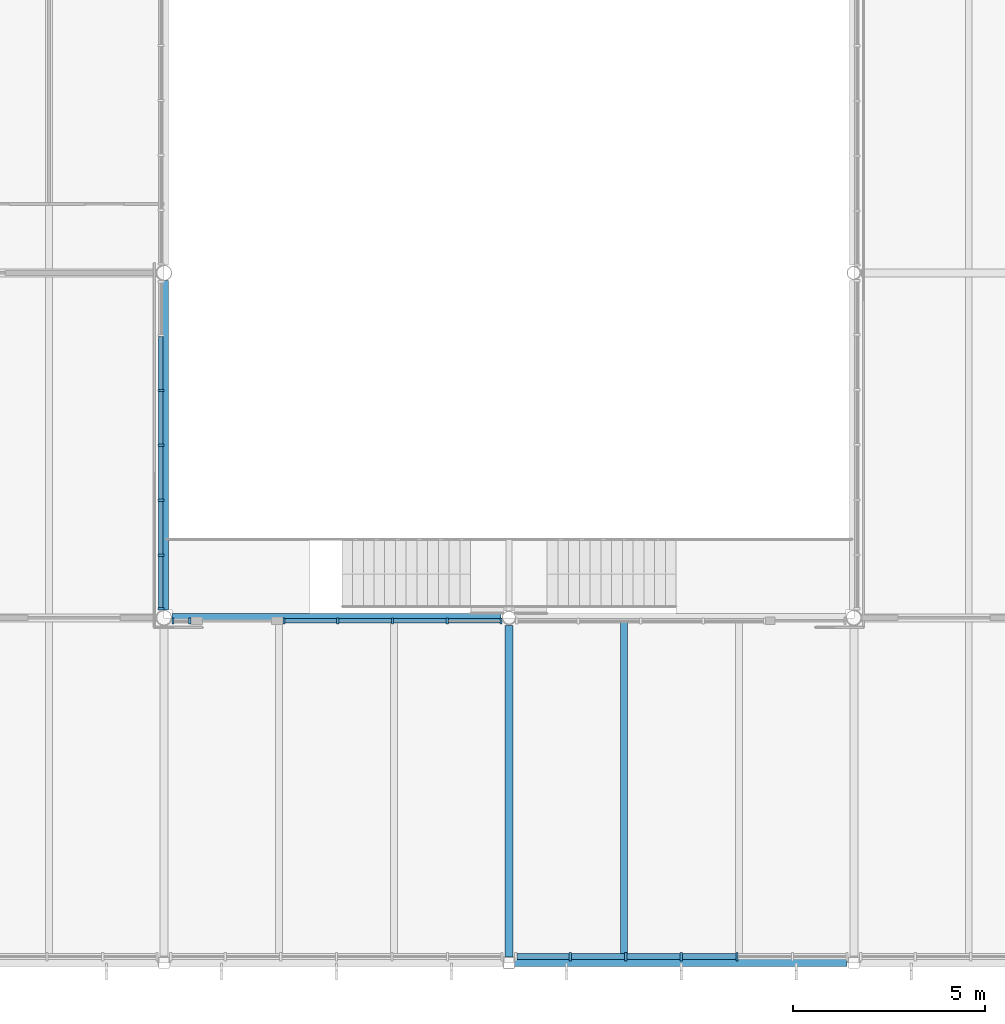
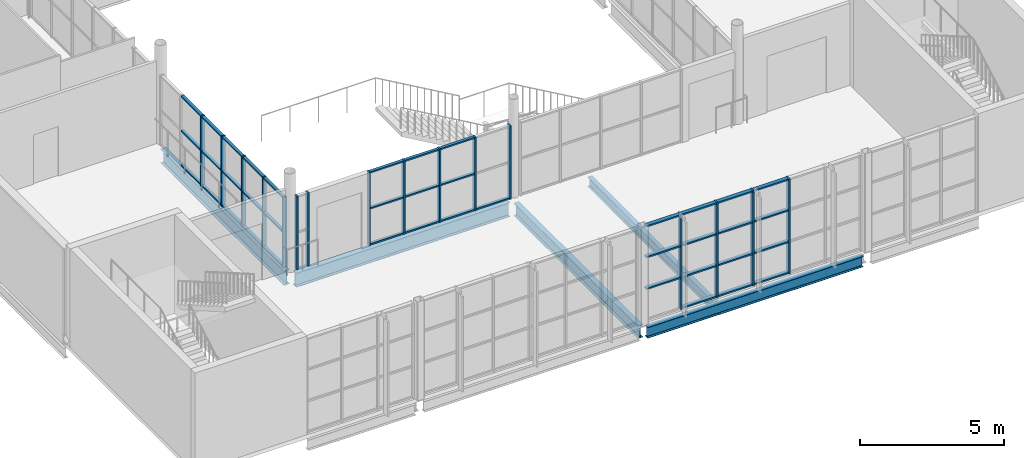
# One storey, part 14 of 57: 56 members, 5 beams, 4 elements without a shape of their own.
"""IFC4 building model written with IfcOpenShell, lengths in metres."""

from ifc_helpers import new_model, si_unit, direction, frame, origin, origin_2d, place, context, subcontext, project, spatial, rectangle, i_section, extrude, material, layer, layer_set, material_profile, profile_set, type_object, element, aggregate, save


model = new_model("IFC4")

# Units and contexts
model_context = context("Model", 3, precision=1e-05, world=origin(), true_north=direction((0.0, 1.0)))
body_context = subcontext(model_context, "Body", "Model", "MODEL_VIEW")
ifc_project = project(units=[si_unit("LENGTHUNIT", "METRE"), si_unit("AREAUNIT", "SQUARE_METRE"), si_unit("VOLUMEUNIT", "CUBIC_METRE"), si_unit("PLANEANGLEUNIT", "RADIAN"), si_unit("MASSUNIT", "GRAM", prefix="KILO")], contexts=[model_context])

# Site, building, storey
site_placement = place(None, origin())
site = spatial("IfcSite", under=ifc_project, at=site_placement, CompositionType="ELEMENT")
building_placement = place(site_placement, origin())
building = spatial("IfcBuilding", under=site, at=building_placement, Name="Halyard Row Museum", CompositionType="ELEMENT")
storey_placement = place(building_placement, frame((0.0, 0.0, 5.0)))
storey = spatial("IfcBuildingStorey", under=building, at=storey_placement, Name="L01", CompositionType="ELEMENT", Elevation=5.0)

# Curtain wall, members
ifc_material_1 = material(Name="Double glazed unit, low-emissivity", Category="glass")
ifc_layer_1 = layer(ifc_material_1, 0.219970703125)
ifc_layer_set_1 = layer_set([ifc_layer_1], Name="Double glazed unit, low-emissivity")
curtain_wall_type_1 = type_object("IfcCurtainWallType", Name="Curtain wall unitised 220 deep", PredefinedType="NOTDEFINED", material=ifc_layer_set_1)
curtain_wall_1_placement = place(storey_placement, origin())
curtain_wall_1 = element("IfcCurtainWall", 1, at=curtain_wall_1_placement, inside=storey, type_object=curtain_wall_type_1, Name="Curtain wall CW026", PredefinedType="NOTDEFINED")
ifc_material_2 = material(Name="Powder-coated aluminium section", Category="aluminium")
ifc_material_profile_1 = material_profile(ifc_material_2, rectangle(XDim=0.219970703125, YDim=0.06005859375, at=origin_2d()), Name="220x60 mullion")
ifc_profile_set_1 = profile_set([ifc_material_profile_1], Name="Powder-coated aluminium section")
member_type_1 = type_object("IfcMemberType", Name="Curtain wall mullion CM3 60 x 220", PredefinedType="MULLION", material=ifc_profile_set_1)
member_1_placement = place(storey_placement, frame((91.60009765625, 0.159912109375, 0.0), z_axis=(0.0, 0.0, 1.0), x_axis=(0.0, 1.0, 0.0)))
member_1 = element("IfcMember", 2, at=member_1_placement, type_object=member_type_1, Name="CW026 mullion 2", PredefinedType="MULLION", context=body_context, shape_type="SweptSolid", body=[
    extrude(rectangle(XDim=0.219970703125, YDim=0.06005859375, at=origin_2d()), origin(), (0.0, 0.0, 1.0), 4.034912109375),
])
member_2_placement = place(storey_placement, frame((93.050048828125, 0.159912109375, 0.0), z_axis=(0.0, 0.0, 1.0), x_axis=(0.0, 1.0, 0.0)))
member_2 = element("IfcMember", 3, at=member_2_placement, type_object=member_type_1, Name="CW026 mullion 3", PredefinedType="MULLION", context=body_context, shape_type="SweptSolid", body=[
    extrude(rectangle(XDim=0.219970703125, YDim=0.06005859375, at=origin_2d()), origin(), (0.0, 0.0, 1.0), 4.034912109375),
])
member_3_placement = place(storey_placement, frame((94.5, 0.159912109375, 0.0), z_axis=(0.0, 0.0, 1.0), x_axis=(0.0, 1.0, 0.0)))
member_3 = element("IfcMember", 4, at=member_3_placement, type_object=member_type_1, Name="CW026 mullion 4", PredefinedType="MULLION", context=body_context, shape_type="SweptSolid", body=[
    extrude(rectangle(XDim=0.219970703125, YDim=0.06005859375, at=origin_2d()), origin(), (0.0, 0.0, 1.0), 4.034912109375),
])
member_4_placement = place(storey_placement, frame((95.949951171875, 0.159912109375, 0.0), z_axis=(0.0, 0.0, 1.0), x_axis=(0.0, 1.0, 0.0)))
member_4 = element("IfcMember", 5, at=member_4_placement, type_object=member_type_1, Name="CW026 mullion 5", PredefinedType="MULLION", context=body_context, shape_type="SweptSolid", body=[
    extrude(rectangle(XDim=0.219970703125, YDim=0.06005859375, at=origin_2d()), origin(), (0.0, 0.0, 1.0), 4.034912109375),
])

ifc_material_3 = material(Name="Fire-resisting laminated glazing", Category="glass")
ifc_layer_2 = layer(ifc_material_3, 0.159912109375)
ifc_layer_set_2 = layer_set([ifc_layer_2], Name="Fire-resisting laminated glazing")
curtain_wall_type_2 = type_object("IfcCurtainWallType", Name="Curtain wall atrium screen 160 deep", PredefinedType="NOTDEFINED", material=ifc_layer_set_2)
curtain_wall_2_placement = place(storey_placement, origin())
curtain_wall_2 = element("IfcCurtainWall", 6, at=curtain_wall_2_placement, inside=storey, type_object=curtain_wall_type_2, Name="Curtain wall CW075", PredefinedType="NOTDEFINED")
ifc_material_4 = material(Name="Powder-coated aluminium section", Category="aluminium")
ifc_material_profile_2 = material_profile(ifc_material_4, rectangle(XDim=0.159912109375, YDim=0.06005859375, at=origin_2d()), Name="160x60 mullion")
ifc_profile_set_2 = profile_set([ifc_material_profile_2], Name="Powder-coated aluminium section")
member_type_2 = type_object("IfcMemberType", Name="Curtain wall mullion CM5 60 x 160", PredefinedType="MULLION", material=ifc_profile_set_2)
member_5_placement = place(storey_placement, frame((81.233154296875, 8.919921875, 0.0), z_axis=(0.0, 0.0, 1.0), x_axis=(0.0, 1.0, 0.0)))
member_5 = element("IfcMember", 7, at=member_5_placement, type_object=member_type_2, Name="CW075 mullion 1", PredefinedType="MULLION", context=body_context, shape_type="SweptSolid", body=[
    extrude(rectangle(XDim=0.159912109375, YDim=0.06005859375, at=origin_2d()), origin(), (0.0, 0.0, 1.0), 3.12451171875),
])
member_6_placement = place(storey_placement, frame((81.669921875, 8.919921875, 0.0), z_axis=(0.0, 0.0, 1.0), x_axis=(0.0, 1.0, 0.0)))
member_6 = element("IfcMember", 8, at=member_6_placement, type_object=member_type_2, Name="CW075 mullion 2", PredefinedType="MULLION", context=body_context, shape_type="SweptSolid", body=[
    extrude(rectangle(XDim=0.159912109375, YDim=0.06005859375, at=origin_2d()), origin(), (0.0, 0.0, 1.0), 3.12451171875),
])
aggregate(curtain_wall_2, [member_5, member_6])

curtain_wall_3_placement = place(storey_placement, origin())
curtain_wall_3 = element("IfcCurtainWall", 9, at=curtain_wall_3_placement, inside=storey, type_object=curtain_wall_type_2, Name="Curtain wall CW076", PredefinedType="NOTDEFINED")
member_7_placement = place(storey_placement, frame((84.1298828125, 8.919921875, 0.0), z_axis=(0.0, 0.0, 1.0), x_axis=(0.0, 1.0, 0.0)))
member_7 = element("IfcMember", 10, at=member_7_placement, type_object=member_type_2, Name="CW076 mullion 1", PredefinedType="MULLION", context=body_context, shape_type="SweptSolid", body=[
    extrude(rectangle(XDim=0.159912109375, YDim=0.06005859375, at=origin_2d()), origin(), (0.0, 0.0, 1.0), 3.12451171875),
])
member_8_placement = place(storey_placement, frame((85.530517578125, 8.919921875, 0.0), z_axis=(0.0, 0.0, 1.0), x_axis=(0.0, 1.0, 0.0)))
member_8 = element("IfcMember", 11, at=member_8_placement, type_object=member_type_2, Name="CW076 mullion 2", PredefinedType="MULLION", context=body_context, shape_type="SweptSolid", body=[
    extrude(rectangle(XDim=0.159912109375, YDim=0.06005859375, at=origin_2d()), origin(), (0.0, 0.0, 1.0), 3.12451171875),
])
member_9_placement = place(storey_placement, frame((86.961181640625, 8.919921875, 0.0), z_axis=(0.0, 0.0, 1.0), x_axis=(0.0, 1.0, 0.0)))
member_9 = element("IfcMember", 12, at=member_9_placement, type_object=member_type_2, Name="CW076 mullion 3", PredefinedType="MULLION", context=body_context, shape_type="SweptSolid", body=[
    extrude(rectangle(XDim=0.159912109375, YDim=0.06005859375, at=origin_2d()), origin(), (0.0, 0.0, 1.0), 3.12451171875),
])
member_10_placement = place(storey_placement, frame((88.3916015625, 8.919921875, 0.0), z_axis=(0.0, 0.0, 1.0), x_axis=(0.0, 1.0, 0.0)))
member_10 = element("IfcMember", 13, at=member_10_placement, type_object=member_type_2, Name="CW076 mullion 4", PredefinedType="MULLION", context=body_context, shape_type="SweptSolid", body=[
    extrude(rectangle(XDim=0.159912109375, YDim=0.06005859375, at=origin_2d()), origin(), (0.0, 0.0, 1.0), 3.12451171875),
])
member_11_placement = place(storey_placement, frame((89.792236328125, 8.919921875, 0.0), z_axis=(0.0, 0.0, 1.0), x_axis=(0.0, 1.0, 0.0)))
member_11 = element("IfcMember", 14, at=member_11_placement, type_object=member_type_2, Name="CW076 mullion 5", PredefinedType="MULLION", context=body_context, shape_type="SweptSolid", body=[
    extrude(rectangle(XDim=0.159912109375, YDim=0.06005859375, at=origin_2d()), origin(), (0.0, 0.0, 1.0), 3.12451171875),
])

curtain_wall_4_placement = place(storey_placement, origin())
curtain_wall_4 = element("IfcCurtainWall", 15, at=curtain_wall_4_placement, inside=storey, type_object=curtain_wall_type_2, Name="Curtain wall CW083", PredefinedType="NOTDEFINED")
member_12_placement = place(storey_placement, frame((80.919921875, 14.932373046875, 0.0), z_axis=(0.0, 0.0, 1.0), x_axis=(1.0, 0.0, 0.0)))
member_12 = element("IfcMember", 16, at=member_12_placement, type_object=member_type_2, Name="CW083 mullion 3", PredefinedType="MULLION", context=body_context, shape_type="SweptSolid", body=[
    extrude(rectangle(XDim=0.159912109375, YDim=0.06005859375, at=origin_2d()), origin(), (0.0, 0.0, 1.0), 2.985107421875),
])
member_13_placement = place(storey_placement, frame((80.919921875, 13.5, 0.0), z_axis=(0.0, 0.0, 1.0), x_axis=(1.0, 0.0, 0.0)))
member_13 = element("IfcMember", 17, at=member_13_placement, type_object=member_type_2, Name="CW083 mullion 4", PredefinedType="MULLION", context=body_context, shape_type="SweptSolid", body=[
    extrude(rectangle(XDim=0.159912109375, YDim=0.06005859375, at=origin_2d()), origin(), (0.0, 0.0, 1.0), 2.985107421875),
])
member_14_placement = place(storey_placement, frame((80.919921875, 12.067626953125, 0.0), z_axis=(0.0, 0.0, 1.0), x_axis=(1.0, 0.0, 0.0)))
member_14 = element("IfcMember", 18, at=member_14_placement, type_object=member_type_2, Name="CW083 mullion 5", PredefinedType="MULLION", context=body_context, shape_type="SweptSolid", body=[
    extrude(rectangle(XDim=0.159912109375, YDim=0.06005859375, at=origin_2d()), origin(), (0.0, 0.0, 1.0), 2.985107421875),
])
member_15_placement = place(storey_placement, frame((80.919921875, 10.635498046875, 0.0), z_axis=(0.0, 0.0, 1.0), x_axis=(1.0, 0.0, 0.0)))
member_15 = element("IfcMember", 19, at=member_15_placement, type_object=member_type_2, Name="CW083 mullion 6", PredefinedType="MULLION", context=body_context, shape_type="SweptSolid", body=[
    extrude(rectangle(XDim=0.159912109375, YDim=0.06005859375, at=origin_2d()), origin(), (0.0, 0.0, 1.0), 2.985107421875),
])
member_16_placement = place(storey_placement, frame((80.919921875, 9.233154296875, 0.0), z_axis=(0.0, 0.0, 1.0), x_axis=(1.0, 0.0, 0.0)))
member_16 = element("IfcMember", 20, at=member_16_placement, type_object=member_type_2, Name="CW083 mullion 7", PredefinedType="MULLION", context=body_context, shape_type="SweptSolid", body=[
    extrude(rectangle(XDim=0.159912109375, YDim=0.06005859375, at=origin_2d()), origin(), (0.0, 0.0, 1.0), 2.985107421875),
])

# Member
ifc_material_5 = material(Name="Powder-coated aluminium section", Category="aluminium")
ifc_material_profile_3 = material_profile(ifc_material_5, rectangle(XDim=0.159912109375, YDim=0.06005859375, at=origin_2d()), Name="160x60 transom")
ifc_profile_set_3 = profile_set([ifc_material_profile_3], Name="Powder-coated aluminium section")
member_type_3 = type_object("IfcMemberType", Name="Curtain wall transom CT3 60 x 160", PredefinedType="USERDEFINED", material=ifc_profile_set_3)
member_17_placement = place(storey_placement, frame((90.2099609375, 0.159912109375, 1.344970703125), z_axis=(1.0, 0.0, 0.0), x_axis=(0.0, 1.0, 0.0)))
member_17 = element("IfcMember", 21, at=member_17_placement, type_object=member_type_3, Name="CW026 transom 1.2", ObjectType="TRANSOM", PredefinedType="USERDEFINED", context=body_context, shape_type="SweptSolid", body=[
    extrude(rectangle(XDim=0.159912109375, YDim=0.06005859375, at=origin_2d()), origin(), (0.0, 0.0, 1.0), 1.360107421875),
])

member_18_placement = place(storey_placement, frame((90.2099609375, 0.159912109375, 2.68994140625), z_axis=(1.0, 0.0, 0.0), x_axis=(0.0, 1.0, 0.0)))
member_18 = element("IfcMember", 22, at=member_18_placement, type_object=member_type_3, Name="CW026 transom 1.3", ObjectType="TRANSOM", PredefinedType="USERDEFINED", context=body_context, shape_type="SweptSolid", body=[
    extrude(rectangle(XDim=0.159912109375, YDim=0.06005859375, at=origin_2d()), origin(), (0.0, 0.0, 1.0), 1.360107421875),
])

member_19_placement = place(storey_placement, frame((90.2099609375, 0.159912109375, 4.0048828125), z_axis=(1.0, 0.0, 0.0), x_axis=(0.0, 1.0, 0.0)))
member_19 = element("IfcMember", 23, at=member_19_placement, type_object=member_type_3, Name="CW026 transom 1.4", ObjectType="TRANSOM", PredefinedType="USERDEFINED", context=body_context, shape_type="SweptSolid", body=[
    extrude(rectangle(XDim=0.159912109375, YDim=0.06005859375, at=origin_2d()), origin(), (0.0, 0.0, 1.0), 1.360107421875),
])

member_20_placement = place(storey_placement, frame((91.6298828125, 0.159912109375, 0.030029296875), z_axis=(1.0, 0.0, 0.0), x_axis=(0.0, 1.0, 0.0)))
member_20 = element("IfcMember", 24, at=member_20_placement, type_object=member_type_3, Name="CW026 transom 2.1", ObjectType="TRANSOM", PredefinedType="USERDEFINED", context=body_context, shape_type="SweptSolid", body=[
    extrude(rectangle(XDim=0.159912109375, YDim=0.06005859375, at=origin_2d()), origin(), (0.0, 0.0, 1.0), 1.39013671875),
])

member_21_placement = place(storey_placement, frame((91.6298828125, 0.159912109375, 1.344970703125), z_axis=(1.0, 0.0, 0.0), x_axis=(0.0, 1.0, 0.0)))
member_21 = element("IfcMember", 25, at=member_21_placement, type_object=member_type_3, Name="CW026 transom 2.2", ObjectType="TRANSOM", PredefinedType="USERDEFINED", context=body_context, shape_type="SweptSolid", body=[
    extrude(rectangle(XDim=0.159912109375, YDim=0.06005859375, at=origin_2d()), origin(), (0.0, 0.0, 1.0), 1.39013671875),
])

member_22_placement = place(storey_placement, frame((91.6298828125, 0.159912109375, 2.68994140625), z_axis=(1.0, 0.0, 0.0), x_axis=(0.0, 1.0, 0.0)))
member_22 = element("IfcMember", 26, at=member_22_placement, type_object=member_type_3, Name="CW026 transom 2.3", ObjectType="TRANSOM", PredefinedType="USERDEFINED", context=body_context, shape_type="SweptSolid", body=[
    extrude(rectangle(XDim=0.159912109375, YDim=0.06005859375, at=origin_2d()), origin(), (0.0, 0.0, 1.0), 1.39013671875),
])

member_23_placement = place(storey_placement, frame((91.6298828125, 0.159912109375, 4.0048828125), z_axis=(1.0, 0.0, 0.0), x_axis=(0.0, 1.0, 0.0)))
member_23 = element("IfcMember", 27, at=member_23_placement, type_object=member_type_3, Name="CW026 transom 2.4", ObjectType="TRANSOM", PredefinedType="USERDEFINED", context=body_context, shape_type="SweptSolid", body=[
    extrude(rectangle(XDim=0.159912109375, YDim=0.06005859375, at=origin_2d()), origin(), (0.0, 0.0, 1.0), 1.39013671875),
])

member_24_placement = place(storey_placement, frame((93.080078125, 0.159912109375, 0.030029296875), z_axis=(1.0, 0.0, 0.0), x_axis=(0.0, 1.0, 0.0)))
member_24 = element("IfcMember", 28, at=member_24_placement, type_object=member_type_3, Name="CW026 transom 3.1", ObjectType="TRANSOM", PredefinedType="USERDEFINED", context=body_context, shape_type="SweptSolid", body=[
    extrude(rectangle(XDim=0.159912109375, YDim=0.06005859375, at=origin_2d()), origin(), (0.0, 0.0, 1.0), 1.389892578125),
])

member_25_placement = place(storey_placement, frame((93.080078125, 0.159912109375, 1.344970703125), z_axis=(1.0, 0.0, 0.0), x_axis=(0.0, 1.0, 0.0)))
member_25 = element("IfcMember", 29, at=member_25_placement, type_object=member_type_3, Name="CW026 transom 3.2", ObjectType="TRANSOM", PredefinedType="USERDEFINED", context=body_context, shape_type="SweptSolid", body=[
    extrude(rectangle(XDim=0.159912109375, YDim=0.06005859375, at=origin_2d()), origin(), (0.0, 0.0, 1.0), 1.389892578125),
])

member_26_placement = place(storey_placement, frame((93.080078125, 0.159912109375, 2.68994140625), z_axis=(1.0, 0.0, 0.0), x_axis=(0.0, 1.0, 0.0)))
member_26 = element("IfcMember", 30, at=member_26_placement, type_object=member_type_3, Name="CW026 transom 3.3", ObjectType="TRANSOM", PredefinedType="USERDEFINED", context=body_context, shape_type="SweptSolid", body=[
    extrude(rectangle(XDim=0.159912109375, YDim=0.06005859375, at=origin_2d()), origin(), (0.0, 0.0, 1.0), 1.389892578125),
])

member_27_placement = place(storey_placement, frame((93.080078125, 0.159912109375, 4.0048828125), z_axis=(1.0, 0.0, 0.0), x_axis=(0.0, 1.0, 0.0)))
member_27 = element("IfcMember", 31, at=member_27_placement, type_object=member_type_3, Name="CW026 transom 3.4", ObjectType="TRANSOM", PredefinedType="USERDEFINED", context=body_context, shape_type="SweptSolid", body=[
    extrude(rectangle(XDim=0.159912109375, YDim=0.06005859375, at=origin_2d()), origin(), (0.0, 0.0, 1.0), 1.389892578125),
])

member_28_placement = place(storey_placement, frame((94.530029296875, 0.159912109375, 0.030029296875), z_axis=(1.0, 0.0, 0.0), x_axis=(0.0, 1.0, 0.0)))
member_28 = element("IfcMember", 32, at=member_28_placement, type_object=member_type_3, Name="CW026 transom 4.1", ObjectType="TRANSOM", PredefinedType="USERDEFINED", context=body_context, shape_type="SweptSolid", body=[
    extrude(rectangle(XDim=0.159912109375, YDim=0.06005859375, at=origin_2d()), origin(), (0.0, 0.0, 1.0), 1.389892578125),
])

member_29_placement = place(storey_placement, frame((94.530029296875, 0.159912109375, 1.344970703125), z_axis=(1.0, 0.0, 0.0), x_axis=(0.0, 1.0, 0.0)))
member_29 = element("IfcMember", 33, at=member_29_placement, type_object=member_type_3, Name="CW026 transom 4.2", ObjectType="TRANSOM", PredefinedType="USERDEFINED", context=body_context, shape_type="SweptSolid", body=[
    extrude(rectangle(XDim=0.159912109375, YDim=0.06005859375, at=origin_2d()), origin(), (0.0, 0.0, 1.0), 1.389892578125),
])

member_30_placement = place(storey_placement, frame((94.530029296875, 0.159912109375, 2.68994140625), z_axis=(1.0, 0.0, 0.0), x_axis=(0.0, 1.0, 0.0)))
member_30 = element("IfcMember", 34, at=member_30_placement, type_object=member_type_3, Name="CW026 transom 4.3", ObjectType="TRANSOM", PredefinedType="USERDEFINED", context=body_context, shape_type="SweptSolid", body=[
    extrude(rectangle(XDim=0.159912109375, YDim=0.06005859375, at=origin_2d()), origin(), (0.0, 0.0, 1.0), 1.389892578125),
])

member_31_placement = place(storey_placement, frame((94.530029296875, 0.159912109375, 4.0048828125), z_axis=(1.0, 0.0, 0.0), x_axis=(0.0, 1.0, 0.0)))
member_31 = element("IfcMember", 35, at=member_31_placement, type_object=member_type_3, Name="CW026 transom 4.4", ObjectType="TRANSOM", PredefinedType="USERDEFINED", context=body_context, shape_type="SweptSolid", body=[
    extrude(rectangle(XDim=0.159912109375, YDim=0.06005859375, at=origin_2d()), origin(), (0.0, 0.0, 1.0), 1.389892578125),
])

aggregate(curtain_wall_1, [member_1, member_2, member_3, member_4, member_17, member_18, member_19, member_20, member_21, member_22, member_23, member_24, member_25, member_26, member_27, member_28, member_29, member_30, member_31])

ifc_material_6 = material(Name="Powder-coated aluminium section", Category="aluminium")
ifc_material_profile_4 = material_profile(ifc_material_6, rectangle(XDim=0.1201171875, YDim=0.06005859375, at=origin_2d()), Name="120x60 transom")
ifc_profile_set_4 = profile_set([ifc_material_profile_4], Name="Powder-coated aluminium section")
member_type_4 = type_object("IfcMemberType", Name="Curtain wall transom CT5 60 x 120", PredefinedType="USERDEFINED", material=ifc_profile_set_4)
member_32_placement = place(storey_placement, frame((84.159912109375, 8.919921875, 0.030029296875), z_axis=(1.0, 0.0, 0.0), x_axis=(0.0, 1.0, 0.0)))
member_32 = element("IfcMember", 36, at=member_32_placement, type_object=member_type_4, Name="CW076 transom 1.1", ObjectType="TRANSOM", PredefinedType="USERDEFINED", context=body_context, shape_type="SweptSolid", body=[
    extrude(rectangle(XDim=0.1201171875, YDim=0.06005859375, at=origin_2d()), origin(), (0.0, 0.0, 1.0), 1.340576171875),
])

member_33_placement = place(storey_placement, frame((84.159912109375, 8.919921875, 1.562255859375), z_axis=(1.0, 0.0, 0.0), x_axis=(0.0, 1.0, 0.0)))
member_33 = element("IfcMember", 37, at=member_33_placement, type_object=member_type_4, Name="CW076 transom 1.2", ObjectType="TRANSOM", PredefinedType="USERDEFINED", context=body_context, shape_type="SweptSolid", body=[
    extrude(rectangle(XDim=0.1201171875, YDim=0.06005859375, at=origin_2d()), origin(), (0.0, 0.0, 1.0), 1.340576171875),
])

member_34_placement = place(storey_placement, frame((84.159912109375, 8.919921875, 3.094482421875), z_axis=(1.0, 0.0, 0.0), x_axis=(0.0, 1.0, 0.0)))
member_34 = element("IfcMember", 38, at=member_34_placement, type_object=member_type_4, Name="CW076 transom 1.3", ObjectType="TRANSOM", PredefinedType="USERDEFINED", context=body_context, shape_type="SweptSolid", body=[
    extrude(rectangle(XDim=0.1201171875, YDim=0.06005859375, at=origin_2d()), origin(), (0.0, 0.0, 1.0), 1.340576171875),
])

member_35_placement = place(storey_placement, frame((85.560546875, 8.919921875, 0.030029296875), z_axis=(1.0, 0.0, 0.0), x_axis=(0.0, 1.0, 0.0)))
member_35 = element("IfcMember", 39, at=member_35_placement, type_object=member_type_4, Name="CW076 transom 2.1", ObjectType="TRANSOM", PredefinedType="USERDEFINED", context=body_context, shape_type="SweptSolid", body=[
    extrude(rectangle(XDim=0.1201171875, YDim=0.06005859375, at=origin_2d()), origin(), (0.0, 0.0, 1.0), 1.37060546875),
])

member_36_placement = place(storey_placement, frame((85.560546875, 8.919921875, 1.562255859375), z_axis=(1.0, 0.0, 0.0), x_axis=(0.0, 1.0, 0.0)))
member_36 = element("IfcMember", 40, at=member_36_placement, type_object=member_type_4, Name="CW076 transom 2.2", ObjectType="TRANSOM", PredefinedType="USERDEFINED", context=body_context, shape_type="SweptSolid", body=[
    extrude(rectangle(XDim=0.1201171875, YDim=0.06005859375, at=origin_2d()), origin(), (0.0, 0.0, 1.0), 1.37060546875),
])

member_37_placement = place(storey_placement, frame((85.560546875, 8.919921875, 3.094482421875), z_axis=(1.0, 0.0, 0.0), x_axis=(0.0, 1.0, 0.0)))
member_37 = element("IfcMember", 41, at=member_37_placement, type_object=member_type_4, Name="CW076 transom 2.3", ObjectType="TRANSOM", PredefinedType="USERDEFINED", context=body_context, shape_type="SweptSolid", body=[
    extrude(rectangle(XDim=0.1201171875, YDim=0.06005859375, at=origin_2d()), origin(), (0.0, 0.0, 1.0), 1.37060546875),
])

member_38_placement = place(storey_placement, frame((86.9912109375, 8.919921875, 0.030029296875), z_axis=(1.0, 0.0, 0.0), x_axis=(0.0, 1.0, 0.0)))
member_38 = element("IfcMember", 42, at=member_38_placement, type_object=member_type_4, Name="CW076 transom 3.1", ObjectType="TRANSOM", PredefinedType="USERDEFINED", context=body_context, shape_type="SweptSolid", body=[
    extrude(rectangle(XDim=0.1201171875, YDim=0.06005859375, at=origin_2d()), origin(), (0.0, 0.0, 1.0), 1.370361328125),
])

member_39_placement = place(storey_placement, frame((86.9912109375, 8.919921875, 1.562255859375), z_axis=(1.0, 0.0, 0.0), x_axis=(0.0, 1.0, 0.0)))
member_39 = element("IfcMember", 43, at=member_39_placement, type_object=member_type_4, Name="CW076 transom 3.2", ObjectType="TRANSOM", PredefinedType="USERDEFINED", context=body_context, shape_type="SweptSolid", body=[
    extrude(rectangle(XDim=0.1201171875, YDim=0.06005859375, at=origin_2d()), origin(), (0.0, 0.0, 1.0), 1.370361328125),
])

member_40_placement = place(storey_placement, frame((86.9912109375, 8.919921875, 3.094482421875), z_axis=(1.0, 0.0, 0.0), x_axis=(0.0, 1.0, 0.0)))
member_40 = element("IfcMember", 44, at=member_40_placement, type_object=member_type_4, Name="CW076 transom 3.3", ObjectType="TRANSOM", PredefinedType="USERDEFINED", context=body_context, shape_type="SweptSolid", body=[
    extrude(rectangle(XDim=0.1201171875, YDim=0.06005859375, at=origin_2d()), origin(), (0.0, 0.0, 1.0), 1.370361328125),
])

member_41_placement = place(storey_placement, frame((88.421630859375, 8.919921875, 0.030029296875), z_axis=(1.0, 0.0, 0.0), x_axis=(0.0, 1.0, 0.0)))
member_41 = element("IfcMember", 45, at=member_41_placement, type_object=member_type_4, Name="CW076 transom 4.1", ObjectType="TRANSOM", PredefinedType="USERDEFINED", context=body_context, shape_type="SweptSolid", body=[
    extrude(rectangle(XDim=0.1201171875, YDim=0.06005859375, at=origin_2d()), origin(), (0.0, 0.0, 1.0), 1.340576171875),
])

aggregate(curtain_wall_3, [member_7, member_8, member_9, member_10, member_11, member_32, member_33, member_34, member_35, member_36, member_37, member_38, member_39, member_40, member_41])

member_42_placement = place(storey_placement, frame((80.919921875, 16.33447265625, 0.030029296875), z_axis=(0.0, -1.0, 0.0), x_axis=(1.0, 0.0, 0.0)))
member_42 = element("IfcMember", 46, at=member_42_placement, type_object=member_type_4, Name="CW083 transom 2.1", ObjectType="TRANSOM", PredefinedType="USERDEFINED", context=body_context, shape_type="SweptSolid", body=[
    extrude(rectangle(XDim=0.1201171875, YDim=0.06005859375, at=origin_2d()), origin(), (0.0, 0.0, 1.0), 1.372314453125),
])

member_43_placement = place(storey_placement, frame((80.919921875, 16.33447265625, 1.492431640625), z_axis=(0.0, -1.0, 0.0), x_axis=(1.0, 0.0, 0.0)))
member_43 = element("IfcMember", 47, at=member_43_placement, type_object=member_type_4, Name="CW083 transom 2.2", ObjectType="TRANSOM", PredefinedType="USERDEFINED", context=body_context, shape_type="SweptSolid", body=[
    extrude(rectangle(XDim=0.1201171875, YDim=0.06005859375, at=origin_2d()), origin(), (0.0, 0.0, 1.0), 1.372314453125),
])

member_44_placement = place(storey_placement, frame((80.919921875, 16.33447265625, 2.955078125), z_axis=(0.0, -1.0, 0.0), x_axis=(1.0, 0.0, 0.0)))
member_44 = element("IfcMember", 48, at=member_44_placement, type_object=member_type_4, Name="CW083 transom 2.3", ObjectType="TRANSOM", PredefinedType="USERDEFINED", context=body_context, shape_type="SweptSolid", body=[
    extrude(rectangle(XDim=0.1201171875, YDim=0.06005859375, at=origin_2d()), origin(), (0.0, 0.0, 1.0), 1.372314453125),
])

member_45_placement = place(storey_placement, frame((80.919921875, 14.90234375, 0.030029296875), z_axis=(0.0, -1.0, 0.0), x_axis=(1.0, 0.0, 0.0)))
member_45 = element("IfcMember", 49, at=member_45_placement, type_object=member_type_4, Name="CW083 transom 3.1", ObjectType="TRANSOM", PredefinedType="USERDEFINED", context=body_context, shape_type="SweptSolid", body=[
    extrude(rectangle(XDim=0.1201171875, YDim=0.06005859375, at=origin_2d()), origin(), (0.0, 0.0, 1.0), 1.372314453125),
])

member_46_placement = place(storey_placement, frame((80.919921875, 14.90234375, 1.492431640625), z_axis=(0.0, -1.0, 0.0), x_axis=(1.0, 0.0, 0.0)))
member_46 = element("IfcMember", 50, at=member_46_placement, type_object=member_type_4, Name="CW083 transom 3.2", ObjectType="TRANSOM", PredefinedType="USERDEFINED", context=body_context, shape_type="SweptSolid", body=[
    extrude(rectangle(XDim=0.1201171875, YDim=0.06005859375, at=origin_2d()), origin(), (0.0, 0.0, 1.0), 1.372314453125),
])

member_47_placement = place(storey_placement, frame((80.919921875, 14.90234375, 2.955078125), z_axis=(0.0, -1.0, 0.0), x_axis=(1.0, 0.0, 0.0)))
member_47 = element("IfcMember", 51, at=member_47_placement, type_object=member_type_4, Name="CW083 transom 3.3", ObjectType="TRANSOM", PredefinedType="USERDEFINED", context=body_context, shape_type="SweptSolid", body=[
    extrude(rectangle(XDim=0.1201171875, YDim=0.06005859375, at=origin_2d()), origin(), (0.0, 0.0, 1.0), 1.372314453125),
])

member_48_placement = place(storey_placement, frame((80.919921875, 13.469970703125, 0.030029296875), z_axis=(0.0, -1.0, 0.0), x_axis=(1.0, 0.0, 0.0)))
member_48 = element("IfcMember", 52, at=member_48_placement, type_object=member_type_4, Name="CW083 transom 4.1", ObjectType="TRANSOM", PredefinedType="USERDEFINED", context=body_context, shape_type="SweptSolid", body=[
    extrude(rectangle(XDim=0.1201171875, YDim=0.06005859375, at=origin_2d()), origin(), (0.0, 0.0, 1.0), 1.372314453125),
])

member_49_placement = place(storey_placement, frame((80.919921875, 13.469970703125, 1.492431640625), z_axis=(0.0, -1.0, 0.0), x_axis=(1.0, 0.0, 0.0)))
member_49 = element("IfcMember", 53, at=member_49_placement, type_object=member_type_4, Name="CW083 transom 4.2", ObjectType="TRANSOM", PredefinedType="USERDEFINED", context=body_context, shape_type="SweptSolid", body=[
    extrude(rectangle(XDim=0.1201171875, YDim=0.06005859375, at=origin_2d()), origin(), (0.0, 0.0, 1.0), 1.372314453125),
])

member_50_placement = place(storey_placement, frame((80.919921875, 13.469970703125, 2.955078125), z_axis=(0.0, -1.0, 0.0), x_axis=(1.0, 0.0, 0.0)))
member_50 = element("IfcMember", 54, at=member_50_placement, type_object=member_type_4, Name="CW083 transom 4.3", ObjectType="TRANSOM", PredefinedType="USERDEFINED", context=body_context, shape_type="SweptSolid", body=[
    extrude(rectangle(XDim=0.1201171875, YDim=0.06005859375, at=origin_2d()), origin(), (0.0, 0.0, 1.0), 1.372314453125),
])

member_51_placement = place(storey_placement, frame((80.919921875, 12.037841796875, 0.030029296875), z_axis=(0.0, -1.0, 0.0), x_axis=(1.0, 0.0, 0.0)))
member_51 = element("IfcMember", 55, at=member_51_placement, type_object=member_type_4, Name="CW083 transom 5.1", ObjectType="TRANSOM", PredefinedType="USERDEFINED", context=body_context, shape_type="SweptSolid", body=[
    extrude(rectangle(XDim=0.1201171875, YDim=0.06005859375, at=origin_2d()), origin(), (0.0, 0.0, 1.0), 1.372314453125),
])

member_52_placement = place(storey_placement, frame((80.919921875, 12.037841796875, 1.492431640625), z_axis=(0.0, -1.0, 0.0), x_axis=(1.0, 0.0, 0.0)))
member_52 = element("IfcMember", 56, at=member_52_placement, type_object=member_type_4, Name="CW083 transom 5.2", ObjectType="TRANSOM", PredefinedType="USERDEFINED", context=body_context, shape_type="SweptSolid", body=[
    extrude(rectangle(XDim=0.1201171875, YDim=0.06005859375, at=origin_2d()), origin(), (0.0, 0.0, 1.0), 1.372314453125),
])

member_53_placement = place(storey_placement, frame((80.919921875, 12.037841796875, 2.955078125), z_axis=(0.0, -1.0, 0.0), x_axis=(1.0, 0.0, 0.0)))
member_53 = element("IfcMember", 57, at=member_53_placement, type_object=member_type_4, Name="CW083 transom 5.3", ObjectType="TRANSOM", PredefinedType="USERDEFINED", context=body_context, shape_type="SweptSolid", body=[
    extrude(rectangle(XDim=0.1201171875, YDim=0.06005859375, at=origin_2d()), origin(), (0.0, 0.0, 1.0), 1.372314453125),
])

member_54_placement = place(storey_placement, frame((80.919921875, 10.60546875, 0.030029296875), z_axis=(0.0, -1.0, 0.0), x_axis=(1.0, 0.0, 0.0)))
member_54 = element("IfcMember", 58, at=member_54_placement, type_object=member_type_4, Name="CW083 transom 6.1", ObjectType="TRANSOM", PredefinedType="USERDEFINED", context=body_context, shape_type="SweptSolid", body=[
    extrude(rectangle(XDim=0.1201171875, YDim=0.06005859375, at=origin_2d()), origin(), (0.0, 0.0, 1.0), 1.34228515625),
])

member_55_placement = place(storey_placement, frame((80.919921875, 10.60546875, 1.492431640625), z_axis=(0.0, -1.0, 0.0), x_axis=(1.0, 0.0, 0.0)))
member_55 = element("IfcMember", 59, at=member_55_placement, type_object=member_type_4, Name="CW083 transom 6.2", ObjectType="TRANSOM", PredefinedType="USERDEFINED", context=body_context, shape_type="SweptSolid", body=[
    extrude(rectangle(XDim=0.1201171875, YDim=0.06005859375, at=origin_2d()), origin(), (0.0, 0.0, 1.0), 1.34228515625),
])

member_56_placement = place(storey_placement, frame((80.919921875, 10.60546875, 2.955078125), z_axis=(0.0, -1.0, 0.0), x_axis=(1.0, 0.0, 0.0)))
member_56 = element("IfcMember", 60, at=member_56_placement, type_object=member_type_4, Name="CW083 transom 6.3", ObjectType="TRANSOM", PredefinedType="USERDEFINED", context=body_context, shape_type="SweptSolid", body=[
    extrude(rectangle(XDim=0.1201171875, YDim=0.06005859375, at=origin_2d()), origin(), (0.0, 0.0, 1.0), 1.34228515625),
])

aggregate(curtain_wall_4, [member_12, member_13, member_14, member_15, member_16, member_42, member_43, member_44, member_45, member_46, member_47, member_48, member_49, member_50, member_51, member_52, member_53, member_54, member_55, member_56])

# Beams
ifc_material_7 = material(Name="Steel Grade 300", Category="steel")
ifc_material_profile_5 = material_profile(ifc_material_7, i_section(OverallWidth=0.18994140625, OverallDepth=0.45751953125, WebThickness=0.009033203125, FlangeThickness=0.014404296875, FilletRadius=0.011474609375, at=origin_2d()), Name="460UB74.6")
ifc_profile_set_5 = profile_set([ifc_material_profile_5], Name="Steel Grade 300")
beam_type_1 = type_object("IfcBeamType", Name="Edge beam 460UB74.6", PredefinedType="BEAM", material=ifc_profile_set_5)
beam_1_placement = place(storey_placement, frame((90.14990234375, 0.0, -0.393798828125), z_axis=(1.0, 0.0, 0.0), x_axis=(0.0, 1.0, 0.0)))
element("IfcBeam", 61, at=beam_1_placement, inside=storey, type_object=beam_type_1, Name="Beam L01-004", PredefinedType="BEAM", context=body_context, shape_type="SweptSolid", body=[
    extrude(i_section(OverallWidth=0.18994140625, OverallDepth=0.45751953125, WebThickness=0.009033203125, FlangeThickness=0.014404296875, FilletRadius=0.011474609375, at=origin_2d()), origin(), (0.0, 0.0, 1.0), 8.675048828125),
])
ifc_material_8 = material(Name="Steel Grade 300", Category="steel")
ifc_material_profile_6 = material_profile(ifc_material_8, i_section(OverallWidth=0.208984375, OverallDepth=0.532958984375, WebThickness=0.01025390625, FlangeThickness=0.015625, FilletRadius=0.013916015625, at=origin_2d()), Name="530UB92.4")
ifc_profile_set_6 = profile_set([ifc_material_profile_6], Name="Steel Grade 300")
beam_type_2 = type_object("IfcBeamType", Name="Girder beam 530UB92.4", PredefinedType="BEAM", material=ifc_profile_set_6)
beam_2_placement = place(storey_placement, frame((90.0, 0.14990234375, -0.431396484375), z_axis=(0.0, 1.0, 0.0), x_axis=(-1.0, 0.0, 0.0)))
element("IfcBeam", 62, at=beam_2_placement, inside=storey, type_object=beam_type_2, Name="Beam L01-070", PredefinedType="BEAM", context=body_context, shape_type="SweptSolid", body=[
    extrude(i_section(OverallWidth=0.208984375, OverallDepth=0.532958984375, WebThickness=0.01025390625, FlangeThickness=0.015625, FilletRadius=0.013916015625, at=origin_2d()), origin(), (0.0, 0.0, 1.0), 8.64697265625),
])
ifc_material_9 = material(Name="Steel Grade 300", Category="steel")
ifc_material_profile_7 = material_profile(ifc_material_9, i_section(OverallWidth=0.177978515625, OverallDepth=0.406494140625, WebThickness=0.0078125, FlangeThickness=0.0126953125, FilletRadius=0.011474609375, at=origin_2d()), Name="410UB59.7")
ifc_profile_set_7 = profile_set([ifc_material_profile_7], Name="Steel Grade 300")
beam_type_3 = type_object("IfcBeamType", Name="Secondary beam 410UB59.7", PredefinedType="BEAM", material=ifc_profile_set_7)
beam_3_placement = place(storey_placement, frame((93.0, 0.094970703125, -0.3681640625), z_axis=(0.0, 1.0, 0.0), x_axis=(-1.0, 0.0, 0.0)))
element("IfcBeam", 63, at=beam_3_placement, inside=storey, type_object=beam_type_3, Name="Beam L01-090", PredefinedType="BEAM", context=body_context, shape_type="SweptSolid", body=[
    extrude(i_section(OverallWidth=0.177978515625, OverallDepth=0.406494140625, WebThickness=0.0078125, FlangeThickness=0.0126953125, FilletRadius=0.011474609375, at=origin_2d()), origin(), (0.0, 0.0, 1.0), 8.791015625),
])
ifc_material_10 = material(Name="Steel Grade 300", Category="steel")
ifc_material_profile_8 = material_profile(ifc_material_10, i_section(OverallWidth=0.22802734375, OverallDepth=0.60693359375, WebThickness=0.01123046875, FlangeThickness=0.017333984375, FilletRadius=0.013916015625, at=origin_2d()), Name="610UB113")
ifc_profile_set_8 = profile_set([ifc_material_profile_8], Name="Steel Grade 300")
beam_type_4 = type_object("IfcBeamType", Name="Void edge beam 610UB113", PredefinedType="BEAM", material=ifc_profile_set_8)
for number, where, z_axis, x_axis, name in (
    (64, (81.203125, 9.0, -0.468505859375), (1.0, 0.0, 0.0), (0.0, 1.0, 0.0), "Beam L01-008"),
    (65, (81.0, 9.203125, -0.468505859375), (0.0, 1.0, 0.0), (-1.0, 0.0, 0.0), "Beam L01-066"),
):
    element("IfcBeam", number, at=place(storey_placement, frame(where, z_axis=z_axis, x_axis=x_axis)), inside=storey, type_object=beam_type_4, Name=name, PredefinedType="BEAM", context=body_context, shape_type="SweptSolid", body=[
        extrude(i_section(OverallWidth=0.22802734375, OverallDepth=0.60693359375, WebThickness=0.01123046875, FlangeThickness=0.017333984375, FilletRadius=0.013916015625, at=origin_2d()), origin(), (0.0, 0.0, 1.0), 8.59375),
    ])

save(model, "model.ifc")
